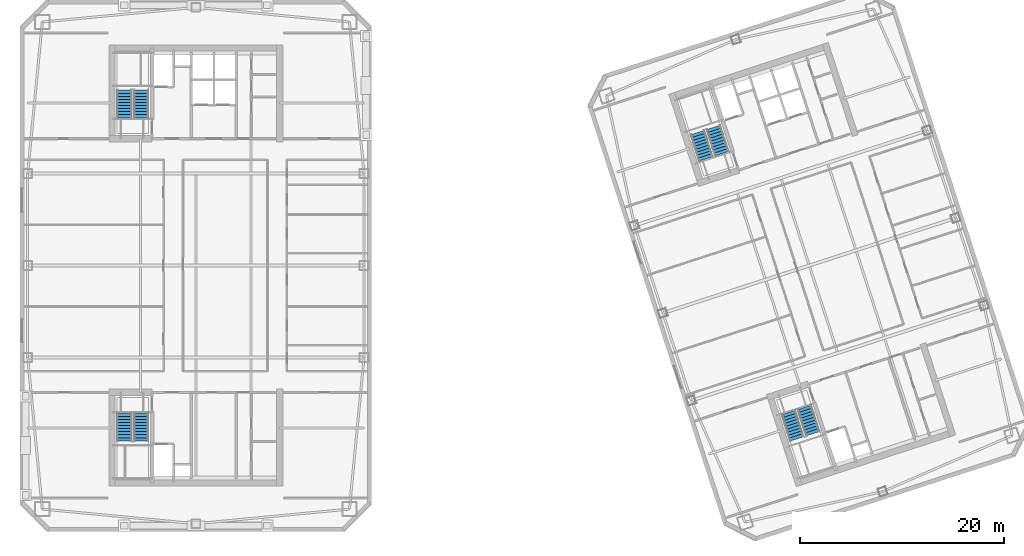
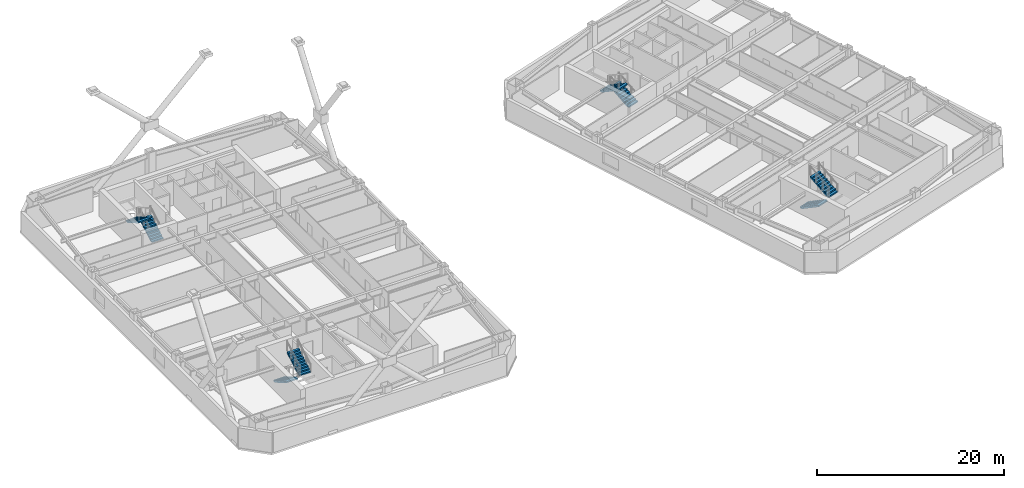
# One storey, part 12 of 14: 8 stair flights, 4 elements without a shape of their own.
"""IFC4 building model written with IfcOpenShell, lengths in metres."""

from ifc_helpers import new_model, si_unit, direction, frame, origin, place, context, subcontext, project, spatial, polyline, outline, extrude, material, type_object, element, aggregate, save


model = new_model("IFC4")

# Units and contexts
model_context = context("Model", 3, precision=1e-05, world=origin(), true_north=direction((0.0, 1.0)))
body_context = subcontext(model_context, "Body", "Model", "MODEL_VIEW")
ifc_project = project(units=[si_unit("LENGTHUNIT", "METRE"), si_unit("AREAUNIT", "SQUARE_METRE"), si_unit("VOLUMEUNIT", "CUBIC_METRE"), si_unit("PLANEANGLEUNIT", "RADIAN"), si_unit("MASSUNIT", "GRAM", prefix="KILO")], contexts=[model_context])

# Site, building, storey
site_placement = place(None, origin())
site = spatial("IfcSite", under=ifc_project, at=site_placement, CompositionType="ELEMENT")
building_placement = place(site_placement, origin())
building = spatial("IfcBuilding", under=site, at=building_placement, Name="Qiaolan Cultural Towers", CompositionType="ELEMENT")
storey_placement = place(building_placement, frame((0.0, 0.0, 159.85009765625)))
storey = spatial("IfcBuildingStorey", under=building, at=storey_placement, Name="L42", CompositionType="ELEMENT", Elevation=159.85009765625)

# Stair, stair flights
ifc_material_1 = material(Name="Concrete C45", Category="concrete")
stair_type = type_object("IfcStairType", Name="STR-CORE-1500", PredefinedType="HALF_TURN_STAIR", material=ifc_material_1)
stair_1_placement = place(storey_placement, origin())
stair_1 = element("IfcStair", 1, at=stair_1_placement, inside=storey, type_object=stair_type, Name="L42 Smokeproof Exit Stair ST-W1", PredefinedType="HALF_TURN_STAIR")
ifc_material_2 = material(Name="Concrete C45", Category="concrete")
stair_flight_type = type_object("IfcStairFlightType", Name="STR-CORE-1500-FL", PredefinedType="STRAIGHT", material=ifc_material_2)
stair_flight_1_placement = place(storey_placement, frame((23.02001953125, 19.550048828125, 0.0), z_axis=(0.0, 0.0, 1.0), x_axis=(0.0, -1.0, 0.0)))
stair_flight_1 = element("IfcStairFlight", 2, at=stair_flight_1_placement, type_object=stair_flight_type, Name="ST-W1 flight 1", NumberOfRisers=10, NumberOfTreads=9, PredefinedType="STRAIGHT", RiserHeight=0.1725, TreadLength=0.3, context=body_context, shape_type="SweptSolid", body=[
    extrude(outline(polyline([(0.0, 0.0), (0.0, 0.172607421875), (0.300048828125, 0.172607421875), (0.300048828125, 0.344970703125), (0.60009765625, 0.344970703125), (0.60009765625, 0.517578125), (0.89990234375, 0.517578125), (0.89990234375, 0.68994140625), (1.199951171875, 0.68994140625), (1.199951171875, 0.862548828125), (1.5, 0.862548828125), (1.5, 1.034912109375), (1.800048828125, 1.034912109375), (1.800048828125, 1.20751953125), (2.10009765625, 1.20751953125), (2.10009765625, 1.3798828125), (2.39990234375, 1.3798828125), (2.39990234375, 1.552490234375), (2.699951171875, 1.552490234375), (2.699951171875, 1.72509765625), (2.699951171875, 1.379638671875), (0.30078125, 0.0), (0.0, 0.0)])), frame((0.0, 0.719970703125, 0.0), z_axis=(0.0, -1.0, 0.0), x_axis=(1.0, 0.0, 0.0)), (0.0, 0.0, 1.0), 1.43994140625),
])
stair_flight_2_placement = place(storey_placement, frame((24.659912109375, 16.85009765625, 1.724853515625), z_axis=(0.0, 0.0, 1.0), x_axis=(0.0, 1.0, 0.0)))
stair_flight_2 = element("IfcStairFlight", 3, at=stair_flight_2_placement, type_object=stair_flight_type, Name="ST-W1 flight 2", NumberOfRisers=10, NumberOfTreads=9, PredefinedType="STRAIGHT", RiserHeight=0.1725, TreadLength=0.3, context=body_context, shape_type="SweptSolid", body=[
    extrude(outline(polyline([(0.0, 0.0), (0.0, 0.172607421875), (0.300048828125, 0.172607421875), (0.300048828125, 0.344970703125), (0.60009765625, 0.344970703125), (0.60009765625, 0.517578125), (0.89990234375, 0.517578125), (0.89990234375, 0.68994140625), (1.199951171875, 0.68994140625), (1.199951171875, 0.862548828125), (1.5, 0.862548828125), (1.5, 1.034912109375), (1.800048828125, 1.034912109375), (1.800048828125, 1.20751953125), (2.10009765625, 1.20751953125), (2.10009765625, 1.3798828125), (2.39990234375, 1.3798828125), (2.39990234375, 1.552490234375), (2.699951171875, 1.552490234375), (2.699951171875, 1.72509765625), (2.699951171875, 1.379638671875), (0.30078125, 0.0), (0.0, 0.0)])), frame((0.0, 0.719970703125, 0.0), z_axis=(0.0, -1.0, 0.0), x_axis=(1.0, 0.0, 0.0)), (0.0, 0.0, 1.0), 1.43994140625),
])
aggregate(stair_1, [stair_flight_1, stair_flight_2])

stair_2_placement = place(storey_placement, origin())
stair_2 = element("IfcStair", 4, at=stair_2_placement, inside=storey, type_object=stair_type, Name="L42 Smokeproof Exit Stair ST-W2", PredefinedType="HALF_TURN_STAIR")
stair_flight_3_placement = place(storey_placement, frame((24.659912109375, 48.449951171875, 0.0), z_axis=(0.0, 0.0, 1.0), x_axis=(0.0, 1.0, 0.0)))
stair_flight_3 = element("IfcStairFlight", 5, at=stair_flight_3_placement, type_object=stair_flight_type, Name="ST-W2 flight 1", NumberOfRisers=10, NumberOfTreads=9, PredefinedType="STRAIGHT", RiserHeight=0.1725, TreadLength=0.3, context=body_context, shape_type="SweptSolid", body=[
    extrude(outline(polyline([(0.0, 0.0), (0.0, 0.172607421875), (0.300048828125, 0.172607421875), (0.300048828125, 0.344970703125), (0.60009765625, 0.344970703125), (0.60009765625, 0.517578125), (0.89990234375, 0.517578125), (0.89990234375, 0.68994140625), (1.199951171875, 0.68994140625), (1.199951171875, 0.862548828125), (1.5, 0.862548828125), (1.5, 1.034912109375), (1.800048828125, 1.034912109375), (1.800048828125, 1.20751953125), (2.10009765625, 1.20751953125), (2.10009765625, 1.3798828125), (2.39990234375, 1.3798828125), (2.39990234375, 1.552490234375), (2.699951171875, 1.552490234375), (2.699951171875, 1.72509765625), (2.699951171875, 1.379638671875), (0.30078125, 0.0), (0.0, 0.0)])), frame((0.0, 0.719970703125, 0.0), z_axis=(0.0, -1.0, 0.0), x_axis=(1.0, 0.0, 0.0)), (0.0, 0.0, 1.0), 1.43994140625),
])
stair_flight_4_placement = place(storey_placement, frame((23.02001953125, 51.14990234375, 1.724853515625), z_axis=(0.0, 0.0, 1.0), x_axis=(0.0, -1.0, 0.0)))
stair_flight_4 = element("IfcStairFlight", 6, at=stair_flight_4_placement, type_object=stair_flight_type, Name="ST-W2 flight 2", NumberOfRisers=10, NumberOfTreads=9, PredefinedType="STRAIGHT", RiserHeight=0.1725, TreadLength=0.3, context=body_context, shape_type="SweptSolid", body=[
    extrude(outline(polyline([(0.0, 0.0), (0.0, 0.172607421875), (0.300048828125, 0.172607421875), (0.300048828125, 0.344970703125), (0.60009765625, 0.344970703125), (0.60009765625, 0.517578125), (0.89990234375, 0.517578125), (0.89990234375, 0.68994140625), (1.199951171875, 0.68994140625), (1.199951171875, 0.862548828125), (1.5, 0.862548828125), (1.5, 1.034912109375), (1.800048828125, 1.034912109375), (1.800048828125, 1.20751953125), (2.10009765625, 1.20751953125), (2.10009765625, 1.3798828125), (2.39990234375, 1.3798828125), (2.39990234375, 1.552490234375), (2.699951171875, 1.552490234375), (2.699951171875, 1.72509765625), (2.699951171875, 1.379638671875), (0.30078125, 0.0), (0.0, 0.0)])), frame((0.0, 0.719970703125, 0.0), z_axis=(0.0, -1.0, 0.0), x_axis=(1.0, 0.0, 0.0)), (0.0, 0.0, 1.0), 1.43994140625),
])
aggregate(stair_2, [stair_flight_3, stair_flight_4])

stair_3_placement = place(storey_placement, origin())
stair_3 = element("IfcStair", 7, at=stair_3_placement, inside=storey, type_object=stair_type, Name="L42 Smokeproof Exit Stair ST-E1", PredefinedType="HALF_TURN_STAIR")
stair_flight_5_placement = place(storey_placement, frame((87.96484375, 19.6171875, 0.0), z_axis=(0.0, 0.0, 1.0), x_axis=(0.309016994375, -0.951056516295, 0.0)))
stair_flight_5 = element("IfcStairFlight", 8, at=stair_flight_5_placement, type_object=stair_flight_type, Name="ST-E1 flight 1", NumberOfRisers=10, NumberOfTreads=9, PredefinedType="STRAIGHT", RiserHeight=0.1725, TreadLength=0.3, context=body_context, shape_type="SweptSolid", body=[
    extrude(outline(polyline([(0.0, 0.0), (0.0, 0.172607421875), (0.300048828125, 0.172607421875), (0.300048828125, 0.344970703125), (0.60009765625, 0.344970703125), (0.60009765625, 0.517578125), (0.89990234375, 0.517578125), (0.89990234375, 0.68994140625), (1.199951171875, 0.68994140625), (1.199951171875, 0.862548828125), (1.5, 0.862548828125), (1.5, 1.034912109375), (1.800048828125, 1.034912109375), (1.800048828125, 1.20751953125), (2.10009765625, 1.20751953125), (2.10009765625, 1.3798828125), (2.39990234375, 1.3798828125), (2.39990234375, 1.552490234375), (2.699951171875, 1.552490234375), (2.699951171875, 1.72509765625), (2.699951171875, 1.379638671875), (0.30078125, 0.0), (0.0, 0.0)])), frame((0.0, 0.719970703125, 0.0), z_axis=(0.0, -1.0, 0.0), x_axis=(1.0, 0.0, 0.0)), (0.0, 0.0, 1.0), 1.43994140625),
])
stair_flight_6_placement = place(storey_placement, frame((90.359130859375, 17.55615234375, 1.724853515625), z_axis=(0.0, 0.0, 1.0), x_axis=(-0.309016994375, 0.951056516295, 0.0)))
stair_flight_6 = element("IfcStairFlight", 9, at=stair_flight_6_placement, type_object=stair_flight_type, Name="ST-E1 flight 2", NumberOfRisers=10, NumberOfTreads=9, PredefinedType="STRAIGHT", RiserHeight=0.1725, TreadLength=0.3, context=body_context, shape_type="SweptSolid", body=[
    extrude(outline(polyline([(0.0, 0.0), (0.0, 0.172607421875), (0.300048828125, 0.172607421875), (0.300048828125, 0.344970703125), (0.60009765625, 0.344970703125), (0.60009765625, 0.517578125), (0.89990234375, 0.517578125), (0.89990234375, 0.68994140625), (1.199951171875, 0.68994140625), (1.199951171875, 0.862548828125), (1.5, 0.862548828125), (1.5, 1.034912109375), (1.800048828125, 1.034912109375), (1.800048828125, 1.20751953125), (2.10009765625, 1.20751953125), (2.10009765625, 1.3798828125), (2.39990234375, 1.3798828125), (2.39990234375, 1.552490234375), (2.699951171875, 1.552490234375), (2.699951171875, 1.72509765625), (2.699951171875, 1.379638671875), (0.30078125, 0.0), (0.0, 0.0)])), frame((0.0, 0.719970703125, 0.0), z_axis=(0.0, -1.0, 0.0), x_axis=(1.0, 0.0, 0.0)), (0.0, 0.0, 1.0), 1.43994140625),
])
aggregate(stair_3, [stair_flight_5, stair_flight_6])

stair_4_placement = place(storey_placement, origin())
stair_4 = element("IfcStair", 10, at=stair_4_placement, inside=storey, type_object=stair_type, Name="L42 Smokeproof Exit Stair ST-E2", PredefinedType="HALF_TURN_STAIR")
stair_flight_7_placement = place(storey_placement, frame((81.459228515625, 44.946533203125, 0.0), z_axis=(0.0, 0.0, 1.0), x_axis=(-0.309016994375, 0.951056516295, 0.0)))
stair_flight_7 = element("IfcStairFlight", 11, at=stair_flight_7_placement, type_object=stair_flight_type, Name="ST-E2 flight 1", NumberOfRisers=10, NumberOfTreads=9, PredefinedType="STRAIGHT", RiserHeight=0.1725, TreadLength=0.3, context=body_context, shape_type="SweptSolid", body=[
    extrude(outline(polyline([(0.0, 0.0), (0.0, 0.172607421875), (0.300048828125, 0.172607421875), (0.300048828125, 0.344970703125), (0.60009765625, 0.344970703125), (0.60009765625, 0.517578125), (0.89990234375, 0.517578125), (0.89990234375, 0.68994140625), (1.199951171875, 0.68994140625), (1.199951171875, 0.862548828125), (1.5, 0.862548828125), (1.5, 1.034912109375), (1.800048828125, 1.034912109375), (1.800048828125, 1.20751953125), (2.10009765625, 1.20751953125), (2.10009765625, 1.3798828125), (2.39990234375, 1.3798828125), (2.39990234375, 1.552490234375), (2.699951171875, 1.552490234375), (2.699951171875, 1.72509765625), (2.699951171875, 1.379638671875), (0.30078125, 0.0), (0.0, 0.0)])), frame((0.0, 0.719970703125, 0.0), z_axis=(0.0, -1.0, 0.0), x_axis=(1.0, 0.0, 0.0)), (0.0, 0.0, 1.0), 1.43994140625),
])
stair_flight_8_placement = place(storey_placement, frame((79.065185546875, 47.007568359375, 1.724853515625), z_axis=(0.0, 0.0, 1.0), x_axis=(0.309016994375, -0.951056516295, 0.0)))
stair_flight_8 = element("IfcStairFlight", 12, at=stair_flight_8_placement, type_object=stair_flight_type, Name="ST-E2 flight 2", NumberOfRisers=10, NumberOfTreads=9, PredefinedType="STRAIGHT", RiserHeight=0.1725, TreadLength=0.3, context=body_context, shape_type="SweptSolid", body=[
    extrude(outline(polyline([(0.0, 0.0), (0.0, 0.172607421875), (0.300048828125, 0.172607421875), (0.300048828125, 0.344970703125), (0.60009765625, 0.344970703125), (0.60009765625, 0.517578125), (0.89990234375, 0.517578125), (0.89990234375, 0.68994140625), (1.199951171875, 0.68994140625), (1.199951171875, 0.862548828125), (1.5, 0.862548828125), (1.5, 1.034912109375), (1.800048828125, 1.034912109375), (1.800048828125, 1.20751953125), (2.10009765625, 1.20751953125), (2.10009765625, 1.3798828125), (2.39990234375, 1.3798828125), (2.39990234375, 1.552490234375), (2.699951171875, 1.552490234375), (2.699951171875, 1.72509765625), (2.699951171875, 1.379638671875), (0.30078125, 0.0), (0.0, 0.0)])), frame((0.0, 0.719970703125, 0.0), z_axis=(0.0, -1.0, 0.0), x_axis=(1.0, 0.0, 0.0)), (0.0, 0.0, 1.0), 1.43994140625),
])
aggregate(stair_4, [stair_flight_7, stair_flight_8])

save(model, "model.ifc")
